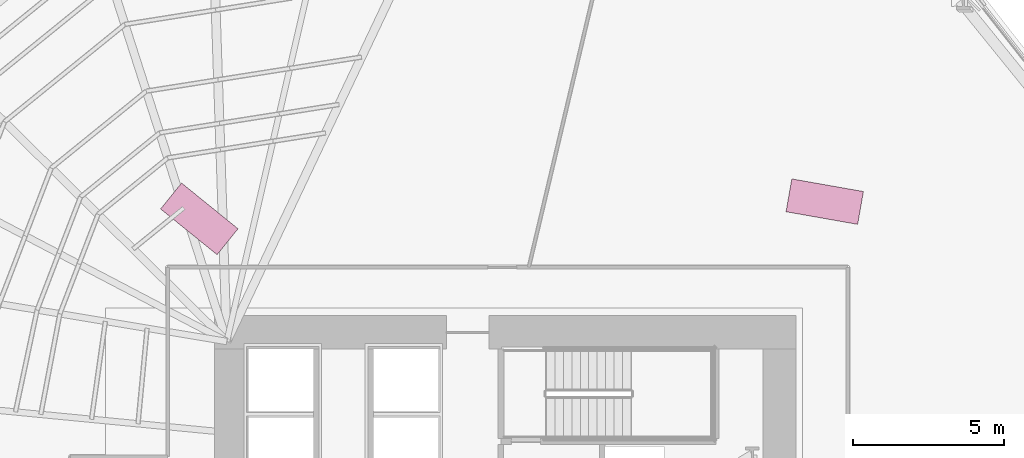
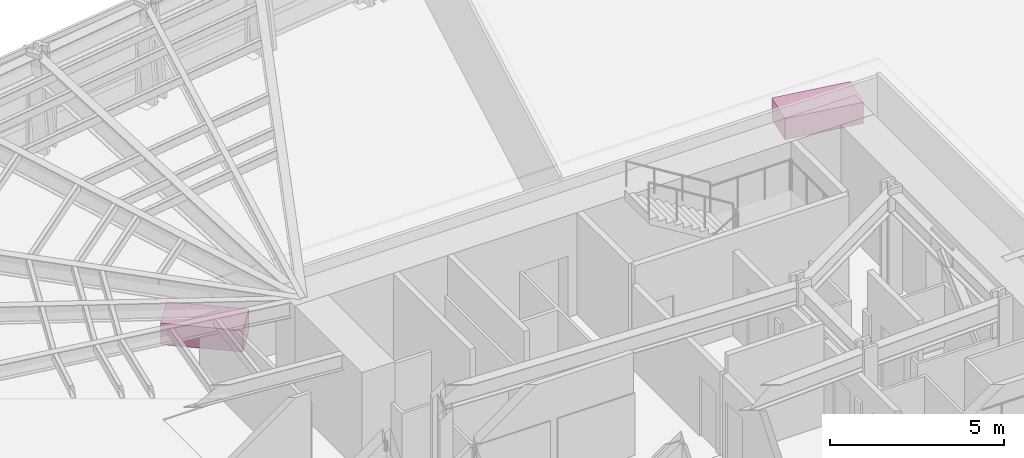
# One storey, part 16 of 16: 2 furniture elements.
"""IFC4 building model written with IfcOpenShell, lengths in metres."""

import ifcopenshell
import ifcopenshell.guid

model = None  # the IFC model being written
_history = None  # IfcOwnerHistory: only IFC2X3 demands one
_inside = {}  # id of a spatial element -> (the spatial element, [elements in it])
_under = {}  # id of a project, library or spatial element -> (it, [spatial elements below it])
_declared = {}  # id of a project -> (the project, [libraries it declares])
_typed = {}  # id of a type object -> (the type object, [elements of that type])
_made_of = {}  # id of a material, layer set ... -> (it, [elements and type objects made of it])


def new_model(schema):
    """Start an empty IFC model of exactly this schema.

    Asked for "IFC4X3", IfcOpenShell would pick the latest addendum, in which some entities
    have other attributes; the version numbers below select the first issue.
    IFC2X3 requires an IfcOwnerHistory on every rooted entity: one is made here for all.
    """
    global model, _history
    if schema == "IFC4X3":
        model = ifcopenshell.file(schema_version=(4, 3, 0, 0))
    else:
        model = ifcopenshell.file(schema=schema)
    _inside.clear()
    _under.clear()
    _declared.clear()
    _typed.clear()
    _made_of.clear()
    _history = None
    if model.schema == "IFC2X3":
        org = make("IfcOrganization", Name="unknown")
        user = make(
            "IfcPersonAndOrganization",
            ThePerson=make("IfcPerson", FamilyName="unknown"),
            TheOrganization=org,
        )
        app = make(
            "IfcApplication",
            ApplicationDeveloper=org,
            Version="unknown",
            ApplicationFullName="unknown",
            ApplicationIdentifier="unknown",
        )
        _history = make(
            "IfcOwnerHistory",
            OwningUser=user,
            OwningApplication=app,
            ChangeAction="ADDED",
            CreationDate=0,
        )
    return model


def make(cls, **values):
    """One entity of the class cls with the attributes given. An attribute that is None is left unset."""
    return model.create_entity(
        cls, **{name: value for name, value in values.items() if value is not None}
    )


def rooted(cls, **values):
    """An entity with a GlobalId (a new one), such as an element, a storey or a relation."""
    return make(cls, GlobalId=ifcopenshell.guid.new(), OwnerHistory=_history, **values)


def si_unit(unit_type, name, prefix=None):
    """IfcSIUnit, for example si_unit("LENGTHUNIT", "METRE", prefix="MILLI")."""
    return make("IfcSIUnit", UnitType=unit_type, Prefix=prefix, Name=name)


def assignment(units):
    """IfcUnitAssignment: the units of a project."""
    return None if units is None else make("IfcUnitAssignment", Units=units)


def point(xyz):
    """IfcCartesianPoint."""
    return None if xyz is None else make("IfcCartesianPoint", Coordinates=xyz)


def direction(xyz):
    """IfcDirection."""
    return None if xyz is None else make("IfcDirection", DirectionRatios=xyz)


def frame(location, z_axis=None, x_axis=None):
    """IfcAxis2Placement3D, a coordinate frame: its origin and axes. An axis left out is left unset."""
    return make(
        "IfcAxis2Placement3D",
        Location=point(location),
        Axis=direction(z_axis),
        RefDirection=direction(x_axis),
    )


def frame_2d(location, x_axis=None):
    """IfcAxis2Placement2D, a coordinate frame in the plane: its origin and x axis."""
    return make(
        "IfcAxis2Placement2D", Location=point(location), RefDirection=direction(x_axis)
    )


def origin():
    """The frame at (0, 0, 0) with its axes left unset."""
    return frame((0.0, 0.0, 0.0))


def origin_2d():
    """The frame at (0, 0) in the plane with its x axis left unset."""
    return frame_2d((0.0, 0.0))


def place(relative_to, where):
    """IfcLocalPlacement: puts the frame where relative to a parent placement (None: the world)."""
    return make(
        "IfcLocalPlacement", PlacementRelTo=relative_to, RelativePlacement=where
    )


def context(
    kind, dimensions, precision=None, world=None, true_north=None, identifier=None
):
    """IfcGeometricRepresentationContext, for example the 3D "Model" context."""
    return make(
        "IfcGeometricRepresentationContext",
        ContextIdentifier=identifier,
        ContextType=kind,
        CoordinateSpaceDimension=dimensions,
        Precision=precision,
        WorldCoordinateSystem=world,
        TrueNorth=true_north,
    )


def subcontext(parent, identifier, kind, view, scale=None):
    """IfcGeometricRepresentationSubContext, for example "Body" below "Model"."""
    return make(
        "IfcGeometricRepresentationSubContext",
        ContextIdentifier=identifier,
        ContextType=kind,
        ParentContext=parent,
        TargetScale=scale,
        TargetView=view,
    )


def project(units=None, contexts=None):
    """IfcProject with its units and contexts."""
    return rooted(
        "IfcProject",
        Name="project",
        RepresentationContexts=contexts,
        UnitsInContext=assignment(units),
    )


def spatial(cls, under=None, at=None, **own):
    """A site, building, storey or space (cls), placed at a placement, below another one or the project."""
    s = rooted(cls, ObjectPlacement=at, **own)
    if under is not None:
        _under.setdefault(under.id(), (under, []))[1].append(s)
    return s


def profile(cls, at=None, kind="AREA", **sizes):
    """A parametric profile (cls). Its sizes go by their IFC names, for example OverallWidth=200.0."""
    return make(cls, ProfileType=kind, Position=at, **sizes)


def rectangle(**sizes):
    """IfcRectangleProfileDef."""
    return profile("IfcRectangleProfileDef", **sizes)


def extrude(swept, where, along, depth):
    """IfcExtrudedAreaSolid: the profile swept, set in the frame where, extruded along a direction by depth."""
    return make(
        "IfcExtrudedAreaSolid",
        SweptArea=swept,
        Position=where,
        ExtrudedDirection=direction(along),
        Depth=depth,
    )


def shape(context_of_items, identifier, shape_type, items):
    """IfcShapeRepresentation: the items that make up one representation, for example the "Body"."""
    return make(
        "IfcShapeRepresentation",
        ContextOfItems=context_of_items,
        RepresentationIdentifier=identifier,
        RepresentationType=shape_type,
        Items=items,
    )


def material(Name=None, Category=None):
    """IfcMaterial."""
    return make("IfcMaterial", Name=Name, Category=Category)


def made_of(thing, what):
    """Note that an element or type object is made of a material, layer set ...; save() writes the relation."""
    if what is not None:
        _made_of.setdefault(what.id(), (what, []))[1].append(thing)
    return thing


def type_object(cls, material=None, **own):
    """A type object (cls), such as IfcWallType, which elements share."""
    return made_of(rooted(cls, **own), material)


def element(
    cls,
    number,
    at=None,
    inside=None,
    cuts=None,
    type_object=None,
    material=None,
    context=None,
    identifier="Body",
    shape_type=None,
    held_by="IfcProductDefinitionShape",
    body=None,
    shapes=None,
    **own,
):
    """One element of the class cls, such as IfcWall. Its Tag is "e" and its number.

    at: its placement. inside: the storey or other place that contains it. cuts: it is an
    opening in that element (IfcRelVoidsElement). A single representation is given by context,
    identifier, shape_type and body (its items); several are given by shapes. held_by: the class
    of the entity that holds the representations. save() writes the other relations.
    """
    e = rooted(cls, Tag="e%d" % number, ObjectPlacement=at, **own)
    if body is not None:
        shapes = [shape(context, identifier, shape_type, body)]
    if shapes is not None:
        e.Representation = make(held_by, Representations=shapes)
    if inside is not None:
        _inside.setdefault(inside.id(), (inside, []))[1].append(e)
    if cuts is not None:
        rooted(
            "IfcRelVoidsElement", RelatingBuildingElement=cuts, RelatedOpeningElement=e
        )
    if type_object is not None:
        _typed.setdefault(type_object.id(), (type_object, []))[1].append(e)
    return made_of(e, material)


def aggregate(whole, parts):
    """IfcRelAggregates: a whole, such as a stair, and the parts it consists of."""
    return rooted("IfcRelAggregates", RelatingObject=whole, RelatedObjects=parts)


def save(model, path):
    """Write the relations noted so far, then the file.

    IfcRelAggregates (storeys below a building ...), IfcRelContainedInSpatialStructure (elements
    in a storey), IfcRelDefinesByType, IfcRelAssociatesMaterial and IfcRelDeclares: one each for
    every whole, place, type object, material and project.
    """
    for whole, parts in _under.values():
        aggregate(whole, parts)
    for where, things in _inside.values():
        rooted(
            "IfcRelContainedInSpatialStructure",
            RelatedElements=things,
            RelatingStructure=where,
        )
    for kind, things in _typed.values():
        rooted("IfcRelDefinesByType", RelatedObjects=things, RelatingType=kind)
    for what, things in _made_of.values():
        rooted("IfcRelAssociatesMaterial", RelatedObjects=things, RelatingMaterial=what)
    for by, libraries in _declared.values():
        rooted("IfcRelDeclares", RelatingContext=by, RelatedDefinitions=libraries)
    model.write(path)


model = new_model("IFC4")

# Units and contexts
model_context = context("Model", 3, precision=1e-05, world=origin(), true_north=direction((0.0, 1.0)))
body_context = subcontext(model_context, "Body", "Model", "MODEL_VIEW")
ifc_project = project(units=[si_unit("LENGTHUNIT", "METRE"), si_unit("AREAUNIT", "SQUARE_METRE"), si_unit("VOLUMEUNIT", "CUBIC_METRE"), si_unit("PLANEANGLEUNIT", "RADIAN"), si_unit("MASSUNIT", "GRAM", prefix="KILO")], contexts=[model_context])

# Site, building, storey
site_placement = place(None, origin())
site = spatial("IfcSite", under=ifc_project, at=site_placement, CompositionType="ELEMENT")
building_placement = place(site_placement, origin())
building = spatial("IfcBuilding", under=site, at=building_placement, Name="Valkerne Bourse Tower", CompositionType="ELEMENT")
storey_placement = place(building_placement, frame((0.0, 0.0, 58.199951171875)))
storey = spatial("IfcBuildingStorey", under=building, at=storey_placement, Name="L14", CompositionType="ELEMENT", Elevation=58.199951171875)

# Furniture
ifc_material = material(Name="Architectural White Oak Timber", Category="wood")
furniture_type = type_object("IfcFurnitureType", Name="FURN-DESK-2400", AssemblyPlace="NOTDEFINED", PredefinedType="DESK", material=ifc_material)
for number, where, z_axis, x_axis, name in (
    (1, (36.694091796875, 39.447998046875, 0.045166015625), (0.0, 0.0, 1.0), (-0.777145961457, 0.62932039105, 0.0), "L14 Suite Worktable 07"),
    (2, (57.341064453125, 40.01708984375, 0.045166015625), (0.0, 0.0, 1.0), (-0.984807753012, 0.173648177667, 0.0), "L14 Suite Worktable 08"),
):
    element("IfcFurniture", number, at=place(storey_placement, frame(where, z_axis=z_axis, x_axis=x_axis)), inside=storey, type_object=furniture_type, Name=name, PredefinedType="DESK", context=body_context, shape_type="SweptSolid", body=[
        extrude(rectangle(XDim=2.39990234375, YDim=1.10009765625, at=origin_2d()), origin(), (0.0, 0.0, 1.0), 0.75),
    ])

save(model, "model.ifc")
